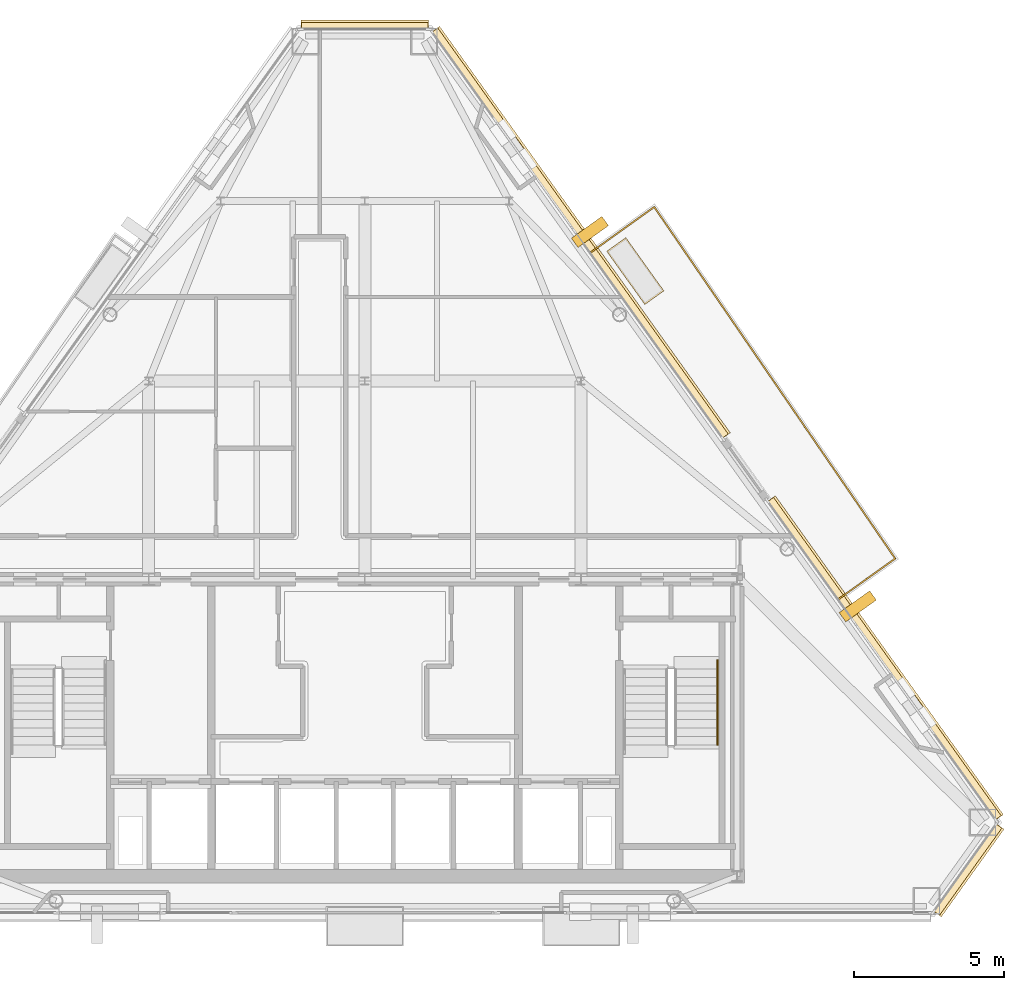
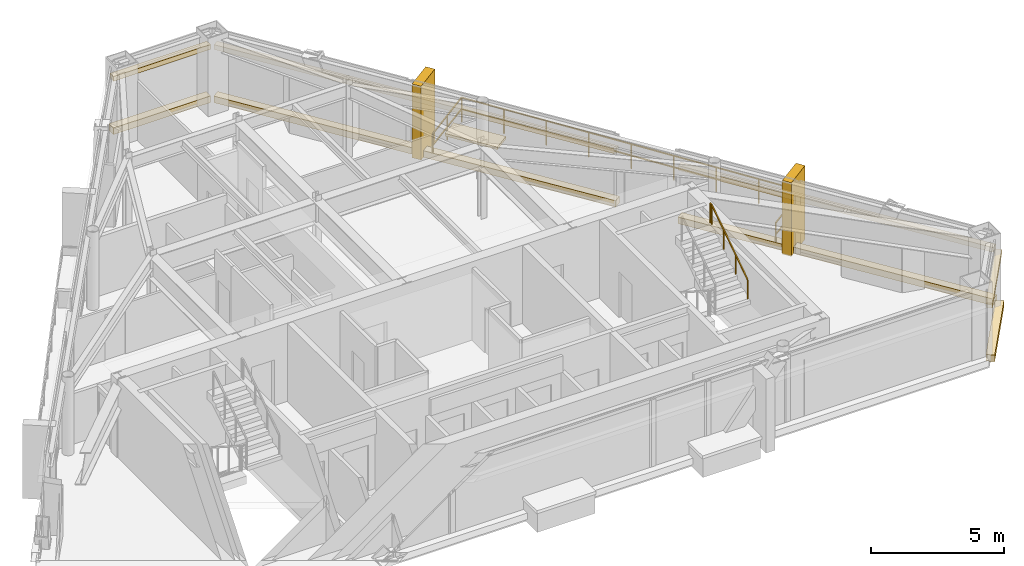
# One storey, part 12 of 12: 11 coverings, 2 railings.
"""IFC4 building model written with IfcOpenShell, lengths in metres."""

import ifcopenshell
import ifcopenshell.guid

model = None  # the IFC model being written
_history = None  # IfcOwnerHistory: only IFC2X3 demands one
_inside = {}  # id of a spatial element -> (the spatial element, [elements in it])
_under = {}  # id of a project, library or spatial element -> (it, [spatial elements below it])
_declared = {}  # id of a project -> (the project, [libraries it declares])
_typed = {}  # id of a type object -> (the type object, [elements of that type])
_made_of = {}  # id of a material, layer set ... -> (it, [elements and type objects made of it])


def new_model(schema):
    """Start an empty IFC model of exactly this schema.

    Asked for "IFC4X3", IfcOpenShell would pick the latest addendum, in which some entities
    have other attributes; the version numbers below select the first issue.
    IFC2X3 requires an IfcOwnerHistory on every rooted entity: one is made here for all.
    """
    global model, _history
    if schema == "IFC4X3":
        model = ifcopenshell.file(schema_version=(4, 3, 0, 0))
    else:
        model = ifcopenshell.file(schema=schema)
    _inside.clear()
    _under.clear()
    _declared.clear()
    _typed.clear()
    _made_of.clear()
    _history = None
    if model.schema == "IFC2X3":
        org = make("IfcOrganization", Name="unknown")
        user = make(
            "IfcPersonAndOrganization",
            ThePerson=make("IfcPerson", FamilyName="unknown"),
            TheOrganization=org,
        )
        app = make(
            "IfcApplication",
            ApplicationDeveloper=org,
            Version="unknown",
            ApplicationFullName="unknown",
            ApplicationIdentifier="unknown",
        )
        _history = make(
            "IfcOwnerHistory",
            OwningUser=user,
            OwningApplication=app,
            ChangeAction="ADDED",
            CreationDate=0,
        )
    return model


def make(cls, **values):
    """One entity of the class cls with the attributes given. An attribute that is None is left unset."""
    return model.create_entity(
        cls, **{name: value for name, value in values.items() if value is not None}
    )


def rooted(cls, **values):
    """An entity with a GlobalId (a new one), such as an element, a storey or a relation."""
    return make(cls, GlobalId=ifcopenshell.guid.new(), OwnerHistory=_history, **values)


def si_unit(unit_type, name, prefix=None):
    """IfcSIUnit, for example si_unit("LENGTHUNIT", "METRE", prefix="MILLI")."""
    return make("IfcSIUnit", UnitType=unit_type, Prefix=prefix, Name=name)


def assignment(units):
    """IfcUnitAssignment: the units of a project."""
    return None if units is None else make("IfcUnitAssignment", Units=units)


def point(xyz):
    """IfcCartesianPoint."""
    return None if xyz is None else make("IfcCartesianPoint", Coordinates=xyz)


def direction(xyz):
    """IfcDirection."""
    return None if xyz is None else make("IfcDirection", DirectionRatios=xyz)


def frame(location, z_axis=None, x_axis=None):
    """IfcAxis2Placement3D, a coordinate frame: its origin and axes. An axis left out is left unset."""
    return make(
        "IfcAxis2Placement3D",
        Location=point(location),
        Axis=direction(z_axis),
        RefDirection=direction(x_axis),
    )


def frame_2d(location, x_axis=None):
    """IfcAxis2Placement2D, a coordinate frame in the plane: its origin and x axis."""
    return make(
        "IfcAxis2Placement2D", Location=point(location), RefDirection=direction(x_axis)
    )


def origin():
    """The frame at (0, 0, 0) with its axes left unset."""
    return frame((0.0, 0.0, 0.0))


def origin_2d():
    """The frame at (0, 0) in the plane with its x axis left unset."""
    return frame_2d((0.0, 0.0))


def place(relative_to, where):
    """IfcLocalPlacement: puts the frame where relative to a parent placement (None: the world)."""
    return make(
        "IfcLocalPlacement", PlacementRelTo=relative_to, RelativePlacement=where
    )


def context(
    kind, dimensions, precision=None, world=None, true_north=None, identifier=None
):
    """IfcGeometricRepresentationContext, for example the 3D "Model" context."""
    return make(
        "IfcGeometricRepresentationContext",
        ContextIdentifier=identifier,
        ContextType=kind,
        CoordinateSpaceDimension=dimensions,
        Precision=precision,
        WorldCoordinateSystem=world,
        TrueNorth=true_north,
    )


def subcontext(parent, identifier, kind, view, scale=None):
    """IfcGeometricRepresentationSubContext, for example "Body" below "Model"."""
    return make(
        "IfcGeometricRepresentationSubContext",
        ContextIdentifier=identifier,
        ContextType=kind,
        ParentContext=parent,
        TargetScale=scale,
        TargetView=view,
    )


def project(units=None, contexts=None):
    """IfcProject with its units and contexts."""
    return rooted(
        "IfcProject",
        Name="project",
        RepresentationContexts=contexts,
        UnitsInContext=assignment(units),
    )


def spatial(cls, under=None, at=None, **own):
    """A site, building, storey or space (cls), placed at a placement, below another one or the project."""
    s = rooted(cls, ObjectPlacement=at, **own)
    if under is not None:
        _under.setdefault(under.id(), (under, []))[1].append(s)
    return s


def profile(cls, at=None, kind="AREA", **sizes):
    """A parametric profile (cls). Its sizes go by their IFC names, for example OverallWidth=200.0."""
    return make(cls, ProfileType=kind, Position=at, **sizes)


def rectangle(**sizes):
    """IfcRectangleProfileDef."""
    return profile("IfcRectangleProfileDef", **sizes)


def extrude(swept, where, along, depth):
    """IfcExtrudedAreaSolid: the profile swept, set in the frame where, extruded along a direction by depth."""
    return make(
        "IfcExtrudedAreaSolid",
        SweptArea=swept,
        Position=where,
        ExtrudedDirection=direction(along),
        Depth=depth,
    )


def shape(context_of_items, identifier, shape_type, items):
    """IfcShapeRepresentation: the items that make up one representation, for example the "Body"."""
    return make(
        "IfcShapeRepresentation",
        ContextOfItems=context_of_items,
        RepresentationIdentifier=identifier,
        RepresentationType=shape_type,
        Items=items,
    )


def material(Name=None, Category=None):
    """IfcMaterial."""
    return make("IfcMaterial", Name=Name, Category=Category)


def layer(
    of_material, thickness, ventilated=None, Name=None, Category=None, Priority=None
):
    """IfcMaterialLayer: one layer of a wall or slab, of a material (None: an air gap)."""
    return make(
        "IfcMaterialLayer",
        Material=of_material,
        LayerThickness=thickness,
        IsVentilated=ventilated,
        Name=Name,
        Category=Category,
        Priority=Priority,
    )


def layer_set(layers, Name=None):
    """IfcMaterialLayerSet."""
    return make("IfcMaterialLayerSet", MaterialLayers=layers, LayerSetName=Name)


def made_of(thing, what):
    """Note that an element or type object is made of a material, layer set ...; save() writes the relation."""
    if what is not None:
        _made_of.setdefault(what.id(), (what, []))[1].append(thing)
    return thing


def type_object(cls, material=None, **own):
    """A type object (cls), such as IfcWallType, which elements share."""
    return made_of(rooted(cls, **own), material)


def element(
    cls,
    number,
    at=None,
    inside=None,
    cuts=None,
    type_object=None,
    material=None,
    context=None,
    identifier="Body",
    shape_type=None,
    held_by="IfcProductDefinitionShape",
    body=None,
    shapes=None,
    **own,
):
    """One element of the class cls, such as IfcWall. Its Tag is "e" and its number.

    at: its placement. inside: the storey or other place that contains it. cuts: it is an
    opening in that element (IfcRelVoidsElement). A single representation is given by context,
    identifier, shape_type and body (its items); several are given by shapes. held_by: the class
    of the entity that holds the representations. save() writes the other relations.
    """
    e = rooted(cls, Tag="e%d" % number, ObjectPlacement=at, **own)
    if body is not None:
        shapes = [shape(context, identifier, shape_type, body)]
    if shapes is not None:
        e.Representation = make(held_by, Representations=shapes)
    if inside is not None:
        _inside.setdefault(inside.id(), (inside, []))[1].append(e)
    if cuts is not None:
        rooted(
            "IfcRelVoidsElement", RelatingBuildingElement=cuts, RelatedOpeningElement=e
        )
    if type_object is not None:
        _typed.setdefault(type_object.id(), (type_object, []))[1].append(e)
    return made_of(e, material)


def aggregate(whole, parts):
    """IfcRelAggregates: a whole, such as a stair, and the parts it consists of."""
    return rooted("IfcRelAggregates", RelatingObject=whole, RelatedObjects=parts)


def save(model, path):
    """Write the relations noted so far, then the file.

    IfcRelAggregates (storeys below a building ...), IfcRelContainedInSpatialStructure (elements
    in a storey), IfcRelDefinesByType, IfcRelAssociatesMaterial and IfcRelDeclares: one each for
    every whole, place, type object, material and project.
    """
    for whole, parts in _under.values():
        aggregate(whole, parts)
    for where, things in _inside.values():
        rooted(
            "IfcRelContainedInSpatialStructure",
            RelatedElements=things,
            RelatingStructure=where,
        )
    for kind, things in _typed.values():
        rooted("IfcRelDefinesByType", RelatedObjects=things, RelatingType=kind)
    for what, things in _made_of.values():
        rooted("IfcRelAssociatesMaterial", RelatedObjects=things, RelatingMaterial=what)
    for by, libraries in _declared.values():
        rooted("IfcRelDeclares", RelatingContext=by, RelatedDefinitions=libraries)
    model.write(path)


model = new_model("IFC4")

# Units and contexts
model_context = context("Model", 3, precision=1e-05, world=origin(), true_north=direction((0.0, 1.0)))
body_context = subcontext(model_context, "Body", "Model", "MODEL_VIEW")
ifc_project = project(units=[si_unit("LENGTHUNIT", "METRE"), si_unit("AREAUNIT", "SQUARE_METRE"), si_unit("VOLUMEUNIT", "CUBIC_METRE"), si_unit("PLANEANGLEUNIT", "RADIAN"), si_unit("MASSUNIT", "GRAM", prefix="KILO")], contexts=[model_context])

# Site, building, storey
site_placement = place(None, origin())
site = spatial("IfcSite", under=ifc_project, at=site_placement, CompositionType="ELEMENT")
building_placement = place(site_placement, origin())
building = spatial("IfcBuilding", under=site, at=building_placement, Name="Talgorran Terracotta Tower", CompositionType="ELEMENT")
storey_placement = place(building_placement, frame((0.0, 0.0, 270.60009765625)))
storey = spatial("IfcBuildingStorey", under=building, at=storey_placement, Name="L71", CompositionType="ELEMENT", Elevation=270.60009765625)

# Coverings
ifc_material_1 = material(Name="Kiln-Fired Terracotta Ochre Ceramic", Category="masonry")
ifc_layer_1 = layer(ifc_material_1, 0.179931640625, Name="COV_BAGUETTE_TERRACOTTA_SCREEN")
ifc_layer_set_1 = layer_set([ifc_layer_1], Name="Kiln-Fired Terracotta Ochre Ceramic")
covering_type_1 = type_object("IfcCoveringType", Name="COV_BAGUETTE_TERRACOTTA_SCREEN", PredefinedType="CLADDING", material=ifc_layer_set_1)
covering_1_placement = place(storey_placement, frame((20.07958984375, -13.869384765625, 2.41015625), z_axis=(0.0, 0.0, 1.0), x_axis=(0.58173974083, 0.813374989743, 0.0)))
element("IfcCovering", 1, at=covering_1_placement, inside=storey, type_object=covering_type_1, Name="L71 Terracotta Baguette Solar Screen Assembly F2", PredefinedType="CLADDING", context=body_context, shape_type="SweptSolid", body=[
    extrude(rectangle(XDim=3.5673828125, YDim=0.260009765625, at=origin_2d()), origin(), (0.0, 0.0, 1.0), 0.219970703125),
])
covering_2_placement = place(storey_placement, frame((17.302490234375, -6.854736328125, 2.41015625), z_axis=(0.0, 0.0, 1.0), x_axis=(-0.58172554467, 0.813385142893, 0.0)))
element("IfcCovering", 2, at=covering_2_placement, inside=storey, type_object=covering_type_1, Name="L71 Terracotta Baguette Solar Screen Assembly F40", PredefinedType="CLADDING", context=body_context, shape_type="SweptSolid", body=[
    extrude(rectangle(XDim=13.034912109375, YDim=0.260009765625, at=origin_2d()), origin(), (0.0, 0.0, 1.0), 0.219970703125),
])
covering_3_placement = place(storey_placement, frame((7.16259765625, 7.323486328125, 2.41015625), z_axis=(0.0, 0.0, 1.0), x_axis=(-0.58173974083, 0.813374989743, 0.0)))
element("IfcCovering", 3, at=covering_3_placement, inside=storey, type_object=covering_type_1, Name="L71 Terracotta Baguette Solar Screen Assembly F41", PredefinedType="CLADDING", context=body_context, shape_type="SweptSolid", body=[
    extrude(rectangle(XDim=16.627197265625, YDim=0.260009765625, at=origin_2d()), origin(), (0.0, 0.0, 1.0), 0.219970703125),
])
covering_4_placement = place(storey_placement, frame((0.0, 14.216796875, 2.41015625), z_axis=(0.0, 0.0, 1.0), x_axis=(-1.0, 0.0, 0.0)))
element("IfcCovering", 4, at=covering_4_placement, inside=storey, type_object=covering_type_1, Name="L71 Terracotta Baguette Solar Screen Assembly F4", PredefinedType="CLADDING", context=body_context, shape_type="SweptSolid", body=[
    extrude(rectangle(XDim=4.2216796875, YDim=0.260009765625, at=origin_2d()), origin(), (0.0, 0.0, 1.0), 0.219970703125),
])
ifc_material_2 = material(Name="Kiln-Fired Terracotta Planter Rim", Category="masonry")
ifc_layer_2 = layer(ifc_material_2, 0.10009765625, Name="COV_PLANTER_RIM")
ifc_layer_set_2 = layer_set([ifc_layer_2], Name="Kiln-Fired Terracotta Planter Rim")
covering_type_2 = type_object("IfcCoveringType", Name="COV_PLANTER_RIM", PredefinedType="CLADDING", material=ifc_layer_set_2)
covering_5_placement = place(storey_placement, frame((9.010986328125, 6.0625, 0.7998046875), z_axis=(0.0, 0.0, 1.0), x_axis=(-0.58172554467, 0.813385142893, 0.0)))
element("IfcCovering", 5, at=covering_5_placement, inside=storey, type_object=covering_type_2, Name="L71 Balcony Planter Terracotta Rim BAL-NE", PredefinedType="CLADDING", context=body_context, shape_type="SweptSolid", body=[
    extrude(rectangle(XDim=2.179931640625, YDim=0.780029296875, at=origin_2d()), origin(), (0.0, 0.0, 1.0), 0.1201171875),
])
ifc_material_3 = material(Name="Honed Limestone Cladding", Category="masonry")
ifc_layer_3 = layer(ifc_material_3, 0.094970703125, Name="COV_PORTAL_LIME")
ifc_layer_set_3 = layer_set([ifc_layer_3], Name="Honed Limestone Cladding")
covering_type_3 = type_object("IfcCoveringType", Name="COV_PORTAL_LIME", PredefinedType="CLADDING", material=ifc_layer_set_3)
covering_6_placement = place(storey_placement, frame((16.421875, -5.107421875, -0.050048828125), z_axis=(0.0, 0.0, 1.0), x_axis=(-0.58172554467, 0.813385142893, 0.0)))
element("IfcCovering", 6, at=covering_6_placement, inside=storey, type_object=covering_type_3, Name="L71 White Striped Portal Fin F3-1", PredefinedType="CLADDING", context=body_context, shape_type="SweptSolid", body=[
    extrude(rectangle(XDim=0.3798828125, YDim=1.25, at=origin_2d()), origin(), (0.0, 0.0, 1.0), 3.39501953125),
])
ifc_material_4 = material(Name="Kiln-Fired Terracotta Cladding", Category="masonry")
ifc_layer_4 = layer(ifc_material_4, 0.090087890625, Name="COV_PORTAL_TERRA")
ifc_layer_set_4 = layer_set([ifc_layer_4], Name="Kiln-Fired Terracotta Cladding")
covering_type_4 = type_object("IfcCoveringType", Name="COV_PORTAL_TERRA", PredefinedType="CLADDING", material=ifc_layer_set_4)
covering_7_placement = place(storey_placement, frame((20.1123046875, -13.892578125, -0.0400390625), z_axis=(0.0, 0.0, 1.0), x_axis=(0.58173974083, 0.813374989743, 0.0)))
element("IfcCovering", 7, at=covering_7_placement, inside=storey, type_object=covering_type_4, Name="L71 Striped Postmodern Portal Cladding Band F2", PredefinedType="CLADDING", context=body_context, shape_type="SweptSolid", body=[
    extrude(rectangle(XDim=3.58740234375, YDim=0.340087890625, at=origin_2d()), origin(), (0.0, 0.0, 1.0), 0.300048828125),
])
covering_8_placement = place(storey_placement, frame((17.335205078125, -6.83154296875, -0.0400390625), z_axis=(0.0, 0.0, 1.0), x_axis=(-0.58172554467, 0.813385142893, 0.0)))
element("IfcCovering", 8, at=covering_8_placement, inside=storey, type_object=covering_type_4, Name="L71 Striped Postmodern Portal Cladding Band F40", PredefinedType="CLADDING", context=body_context, shape_type="SweptSolid", body=[
    extrude(rectangle(XDim=13.054931640625, YDim=0.340087890625, at=origin_2d()), origin(), (0.0, 0.0, 1.0), 0.300048828125),
])
covering_9_placement = place(storey_placement, frame((7.195068359375, 7.3466796875, -0.0400390625), z_axis=(0.0, 0.0, 1.0), x_axis=(-0.58173974083, 0.813374989743, 0.0)))
element("IfcCovering", 9, at=covering_9_placement, inside=storey, type_object=covering_type_4, Name="L71 Striped Postmodern Portal Cladding Band F41", PredefinedType="CLADDING", context=body_context, shape_type="SweptSolid", body=[
    extrude(rectangle(XDim=16.647216796875, YDim=0.340087890625, at=origin_2d()), origin(), (0.0, 0.0, 1.0), 0.300048828125),
])
covering_10_placement = place(storey_placement, frame((0.0, 14.2568359375, -0.0400390625), z_axis=(0.0, 0.0, 1.0), x_axis=(-1.0, 0.0, 0.0)))
element("IfcCovering", 10, at=covering_10_placement, inside=storey, type_object=covering_type_4, Name="L71 Striped Postmodern Portal Cladding Band F4", PredefinedType="CLADDING", context=body_context, shape_type="SweptSolid", body=[
    extrude(rectangle(XDim=4.24169921875, YDim=0.340087890625, at=origin_2d()), origin(), (0.0, 0.0, 1.0), 0.300048828125),
])
covering_11_placement = place(storey_placement, frame((7.50048828125, 7.366455078125, -0.050048828125), z_axis=(0.0, 0.0, 1.0), x_axis=(-0.58172554467, 0.813385142893, 0.0)))
element("IfcCovering", 11, at=covering_11_placement, inside=storey, type_object=covering_type_4, Name="L71 Terracotta Striped Portal Fin F3-2", PredefinedType="CLADDING", context=body_context, shape_type="SweptSolid", body=[
    extrude(rectangle(XDim=0.3798828125, YDim=1.25, at=origin_2d()), origin(), (0.0, 0.0, 1.0), 3.39501953125),
])

# Railings
ifc_material_5 = material(Name="Laminated Glass and Stainless Steel 316", Category="steel")
railing_type_1 = type_object("IfcRailingType", Name="RL_BALCONY_1150", PredefinedType="BALUSTRADE", material=ifc_material_5)
railing_1_placement = place(storey_placement, frame((15.781494140625, -4.865234375, 0.0)))
element("IfcRailing", 12, at=railing_1_placement, inside=storey, type_object=railing_type_1, Name="RL-L71-BAL-BAL-NE", PredefinedType="BALUSTRADE", context=body_context, shape_type="SweptSolid", body=[
    extrude(rectangle(XDim=0.048095703125, YDim=0.048095703125, at=origin_2d()), frame((0.0, 0.0, 1.1259765625), z_axis=(0.813406580876, 0.581695568307, 0.0), x_axis=(-0.581695568307, 0.813406580876, 0.0)), (0.0, 0.0, 1.0), 2.322265625),
    extrude(rectangle(XDim=0.048095703125, YDim=0.048095703125, at=origin_2d()), frame((0.0, 0.0, 0.597900390625), z_axis=(0.813406580876, 0.581695568307, 0.0), x_axis=(-0.581695568307, 0.813406580876, 0.0)), (0.0, 0.0, 1.0), 2.322265625),
    extrude(rectangle(XDim=0.048095703125, YDim=0.048095703125, at=origin_2d()), frame((1.888916015625, 1.350830078125, 1.1259765625), z_axis=(-0.56541407913, 0.824807201182, 0.0), x_axis=(-0.824807201182, -0.56541407913, 0.0)), (0.0, 0.0, 1.0), 14.199951171875),
    extrude(rectangle(XDim=0.048095703125, YDim=0.048095703125, at=origin_2d()), frame((1.888916015625, 1.350830078125, 0.597900390625), z_axis=(-0.56541407913, 0.824807201182, 0.0), x_axis=(-0.824807201182, -0.56541407913, 0.0)), (0.0, 0.0, 1.0), 14.199951171875),
    extrude(rectangle(XDim=0.048095703125, YDim=0.048095703125, at=origin_2d()), frame((-6.139892578125, 13.06298828125, 1.1259765625), z_axis=(-0.813391380926, -0.581716822377, 0.0), x_axis=(0.581716822377, -0.813391380926, 0.0)), (0.0, 0.0, 1.0), 2.60498046875),
    extrude(rectangle(XDim=0.048095703125, YDim=0.048095703125, at=origin_2d()), frame((-6.139892578125, 13.06298828125, 0.597900390625), z_axis=(-0.813391380926, -0.581716822377, 0.0), x_axis=(0.581716822377, -0.813391380926, 0.0)), (0.0, 0.0, 1.0), 2.60498046875),
    extrude(rectangle(XDim=0.0419921875, YDim=0.0419921875, at=origin_2d()), origin(), (0.0, 0.0, 1.0), 1.101806640625),
    extrude(rectangle(XDim=0.0419921875, YDim=0.0419921875, at=origin_2d()), frame((0.9443359375, 0.67529296875, 0.0)), (0.0, 0.0, 1.0), 1.101806640625),
    extrude(rectangle(XDim=0.0419921875, YDim=0.0419921875, at=origin_2d()), frame((1.888916015625, 1.350830078125, 0.0)), (0.0, 0.0, 1.0), 1.101806640625),
    extrude(rectangle(XDim=0.0419921875, YDim=0.0419921875, at=origin_2d()), frame((0.88525390625, 2.81494140625, 0.0)), (0.0, 0.0, 1.0), 1.101806640625),
    extrude(rectangle(XDim=0.0419921875, YDim=0.0419921875, at=origin_2d()), frame((-0.1181640625, 4.27880859375, 0.0)), (0.0, 0.0, 1.0), 1.101806640625),
    extrude(rectangle(XDim=0.0419921875, YDim=0.0419921875, at=origin_2d()), frame((-1.121826171875, 5.742919921875, 0.0)), (0.0, 0.0, 1.0), 1.101806640625),
    extrude(rectangle(XDim=0.0419921875, YDim=0.0419921875, at=origin_2d()), frame((-2.12548828125, 7.20703125, 0.0)), (0.0, 0.0, 1.0), 1.101806640625),
    extrude(rectangle(XDim=0.0419921875, YDim=0.0419921875, at=origin_2d()), frame((-3.129150390625, 8.6708984375, 0.0)), (0.0, 0.0, 1.0), 1.101806640625),
    extrude(rectangle(XDim=0.0419921875, YDim=0.0419921875, at=origin_2d()), frame((-4.1328125, 10.135009765625, 0.0)), (0.0, 0.0, 1.0), 1.101806640625),
    extrude(rectangle(XDim=0.0419921875, YDim=0.0419921875, at=origin_2d()), frame((-5.13623046875, 11.598876953125, 0.0)), (0.0, 0.0, 1.0), 1.101806640625),
    extrude(rectangle(XDim=0.0419921875, YDim=0.0419921875, at=origin_2d()), frame((-6.139892578125, 13.06298828125, 0.0)), (0.0, 0.0, 1.0), 1.101806640625),
    extrude(rectangle(XDim=0.0419921875, YDim=0.0419921875, at=origin_2d()), frame((-7.19921875, 12.30517578125, 0.0)), (0.0, 0.0, 1.0), 1.101806640625),
    extrude(rectangle(XDim=0.0419921875, YDim=0.0419921875, at=origin_2d()), frame((-8.2587890625, 11.547607421875, 0.0)), (0.0, 0.0, 1.0), 1.101806640625),
])
ifc_material_6 = material(Name="Steel S355 (300PLUS)", Category="steel")
railing_type_2 = type_object("IfcRailingType", Name="RL_HANDRAIL_920", PredefinedType="HANDRAIL", material=ifc_material_6)
railing_2_placement = place(storey_placement, frame((11.75, -9.719970703125, 1.97998046875)))
element("IfcRailing", 13, at=railing_2_placement, inside=storey, type_object=railing_type_2, Name="L71 ST-02 stair handrail 2", PredefinedType="HANDRAIL", context=body_context, shape_type="SweptSolid", body=[
    extrude(rectangle(XDim=0.048095703125, YDim=0.048095703125, at=origin_2d()), frame((0.0, 0.0, 0.89599609375), z_axis=(0.0, 0.832073444223, 0.554665469827), x_axis=(-1.0, 0.0, 0.0)), (0.0, 0.0, 1.0), 3.244873046875),
    extrude(rectangle(XDim=0.048095703125, YDim=0.048095703125, at=origin_2d()), frame((0.0, 2.699951171875, 2.69580078125), z_axis=(0.0, 1.0, 0.0), x_axis=(-1.0, 0.0, 0.0)), (0.0, 0.0, 1.0), 0.1201171875),
    extrude(rectangle(XDim=0.0419921875, YDim=0.0419921875, at=origin_2d()), origin(), (0.0, 0.0, 1.0), 0.871826171875),
    extrude(rectangle(XDim=0.0419921875, YDim=0.0419921875, at=origin_2d()), frame((0.0, 0.89990234375, 0.599853515625)), (0.0, 0.0, 1.0), 0.871826171875),
    extrude(rectangle(XDim=0.0419921875, YDim=0.0419921875, at=origin_2d()), frame((0.0, 1.800048828125, 1.199951171875)), (0.0, 0.0, 1.0), 0.871826171875),
    extrude(rectangle(XDim=0.0419921875, YDim=0.0419921875, at=origin_2d()), frame((0.0, 2.699951171875, 1.7998046875)), (0.0, 0.0, 1.0), 0.871826171875),
    extrude(rectangle(XDim=0.0419921875, YDim=0.0419921875, at=origin_2d()), frame((0.0, 2.820068359375, 1.7998046875)), (0.0, 0.0, 1.0), 0.871826171875),
])

save(model, "model.ifc")
